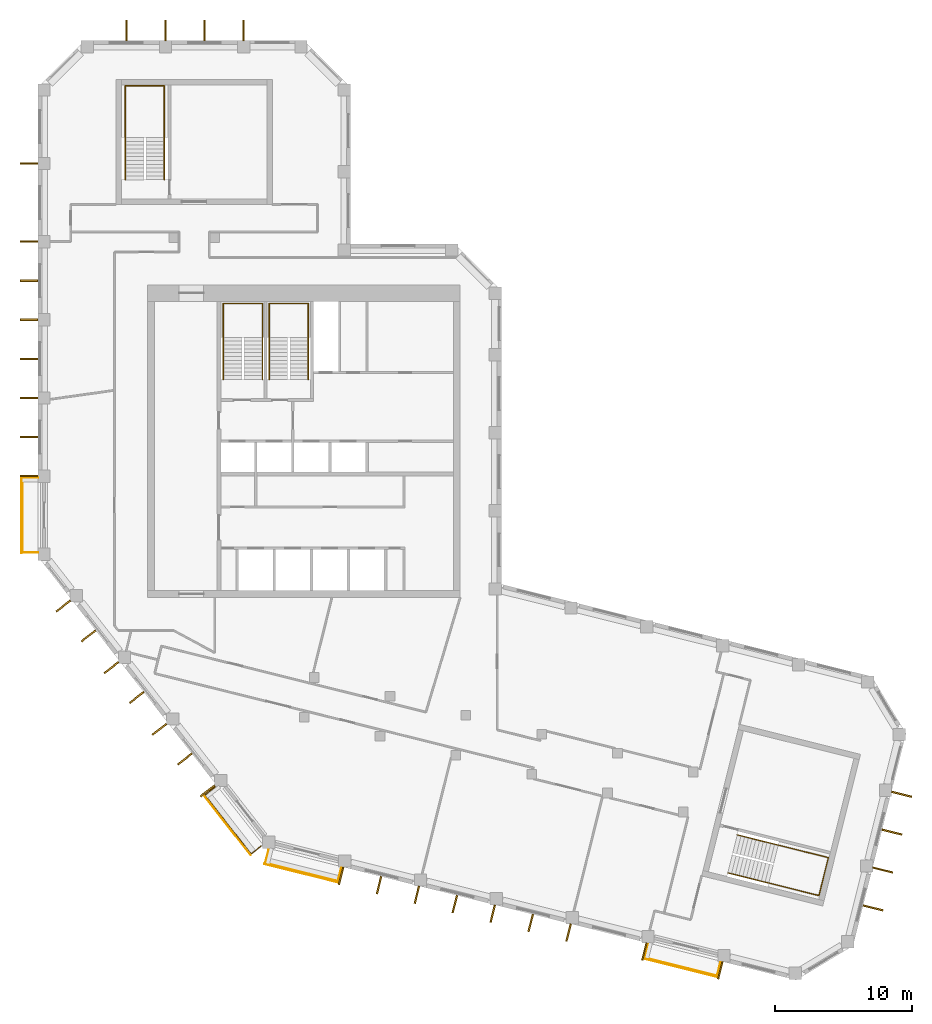
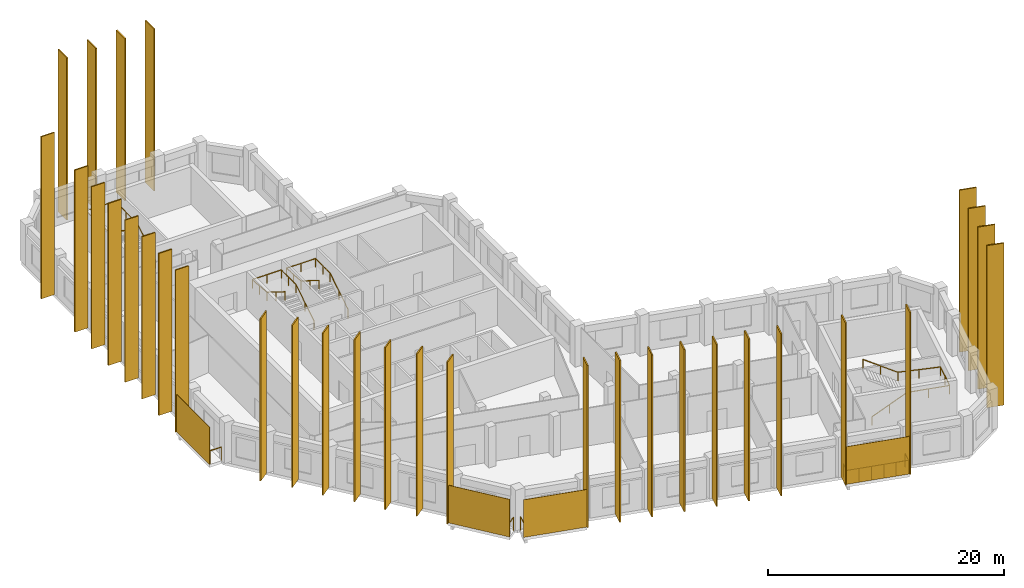
# One storey, part 8 of 8: 36 shading devices, 8 railings.
"""IFC4 building model written with IfcOpenShell, lengths in metres."""

from ifc_helpers import new_model, si_unit, direction, frame, origin, origin_2d, place, context, subcontext, project, spatial, rectangle, circle, extrude, material, layer, layer_set, type_object, element, save


model = new_model("IFC4")

# Units and contexts
model_context = context("Model", 3, precision=1e-05, world=origin(), true_north=direction((0.0, 1.0)))
body_context = subcontext(model_context, "Body", "Model", "MODEL_VIEW")
ifc_project = project(units=[si_unit("LENGTHUNIT", "METRE"), si_unit("AREAUNIT", "SQUARE_METRE"), si_unit("VOLUMEUNIT", "CUBIC_METRE"), si_unit("PLANEANGLEUNIT", "RADIAN"), si_unit("MASSUNIT", "GRAM", prefix="KILO")], contexts=[model_context])

# Site, building, storey
site_placement = place(None, origin())
site = spatial("IfcSite", under=ifc_project, at=site_placement, CompositionType="ELEMENT")
building_placement = place(site_placement, origin())
building = spatial("IfcBuilding", under=site, at=building_placement, Name="Meshkara Civic Tower", CompositionType="ELEMENT")
storey_placement = place(building_placement, frame((0.0, 0.0, 354.0)))
storey = spatial("IfcBuildingStorey", under=building, at=storey_placement, Name="L81", CompositionType="ELEMENT", Elevation=354.0)

# Railings
ifc_material_1 = material(Name="Steel S355", Category="steel")
railing_type_1 = type_object("IfcRailingType", Name="BALUSTRADE GUARD 1400", PredefinedType="BALUSTRADE", material=ifc_material_1)
railing_1_placement = place(storey_placement, frame((0.0, 22.8349609375, 0.0)))
element("IfcRailing", 1, at=railing_1_placement, inside=storey, type_object=railing_type_1, Name="Balcony guard", PredefinedType="BALUSTRADE", context=body_context, shape_type="SweptSolid", body=[
    extrude(circle(Radius=0.02392578125, at=origin_2d()), frame((0.0, 0.0, 1.3759765625), z_axis=(-1.0, 0.0, 0.0), x_axis=(0.0, -1.0, 0.0)), (0.0, 0.0, 1.0), 1.110107421875),
    extrude(circle(Radius=0.02392578125, at=origin_2d()), frame((-1.110107421875, 0.0, 1.3759765625), z_axis=(0.0, -1.0, 0.0), x_axis=(1.0, 0.0, 0.0)), (0.0, 0.0, 1.0), 5.4599609375),
    extrude(circle(Radius=0.02392578125, at=origin_2d()), frame((-1.110107421875, -5.4599609375, 1.3759765625), z_axis=(1.0, 0.0, 0.0), x_axis=(0.0, 1.0, 0.0)), (0.0, 0.0, 1.0), 1.110107421875),
    extrude(circle(Radius=0.02099609375, at=origin_2d()), origin(), (0.0, 0.0, 1.0), 1.351806640625),
    extrude(circle(Radius=0.02099609375, at=origin_2d()), frame((-1.110107421875, 0.0, 0.0)), (0.0, 0.0, 1.0), 1.351806640625),
    extrude(circle(Radius=0.02099609375, at=origin_2d()), frame((-1.110107421875, -1.092041015625, 0.0)), (0.0, 0.0, 1.0), 1.351806640625),
    extrude(circle(Radius=0.02099609375, at=origin_2d()), frame((-1.110107421875, -2.18408203125, 0.0)), (0.0, 0.0, 1.0), 1.351806640625),
    extrude(circle(Radius=0.02099609375, at=origin_2d()), frame((-1.110107421875, -3.27587890625, 0.0)), (0.0, 0.0, 1.0), 1.351806640625),
    extrude(circle(Radius=0.02099609375, at=origin_2d()), frame((-1.110107421875, -4.367919921875, 0.0)), (0.0, 0.0, 1.0), 1.351806640625),
    extrude(circle(Radius=0.02099609375, at=origin_2d()), frame((-1.110107421875, -5.4599609375, 0.0)), (0.0, 0.0, 1.0), 1.351806640625),
    extrude(circle(Radius=0.02099609375, at=origin_2d()), frame((0.0, -5.4599609375, 0.0)), (0.0, 0.0, 1.0), 1.351806640625),
])
railing_2_placement = place(storey_placement, frame((12.91796875, 0.27001953125, 0.0)))
element("IfcRailing", 2, at=railing_2_placement, inside=storey, type_object=railing_type_1, Name="Balcony guard", PredefinedType="BALUSTRADE", context=body_context, shape_type="SweptSolid", body=[
    extrude(circle(Radius=0.02392578125, at=origin_2d()), frame((0.0, 0.0, 1.3759765625), z_axis=(-0.788430880583, -0.615123358801, 0.0), x_axis=(0.615123358801, -0.788430880583, 0.0)), (0.0, 0.0, 1.0), 0.92822265625),
    extrude(circle(Radius=0.02392578125, at=origin_2d()), frame((-0.73193359375, -0.571044921875, 1.3759765625), z_axis=(0.615684818606, -0.787992515281, 0.0), x_axis=(0.787992515281, 0.615684818606, 0.0)), (0.0, 0.0, 1.0), 5.460693359375),
    extrude(circle(Radius=0.02392578125, at=origin_2d()), frame((2.630126953125, -4.8740234375, 1.3759765625), z_axis=(0.787920766417, 0.615776636329, 0.0), x_axis=(-0.615776636329, 0.787920766417, 0.0)), (0.0, 0.0, 1.0), 0.928955078125),
    extrude(circle(Radius=0.02099609375, at=origin_2d()), origin(), (0.0, 0.0, 1.0), 1.351806640625),
    extrude(circle(Radius=0.02099609375, at=origin_2d()), frame((-0.73193359375, -0.571044921875, 0.0)), (0.0, 0.0, 1.0), 1.351806640625),
    extrude(circle(Radius=0.02099609375, at=origin_2d()), frame((-0.0595703125, -1.431640625, 0.0)), (0.0, 0.0, 1.0), 1.351806640625),
    extrude(circle(Radius=0.02099609375, at=origin_2d()), frame((0.61279296875, -2.292236328125, 0.0)), (0.0, 0.0, 1.0), 1.351806640625),
    extrude(circle(Radius=0.02099609375, at=origin_2d()), frame((1.285400390625, -3.15283203125, 0.0)), (0.0, 0.0, 1.0), 1.351806640625),
    extrude(circle(Radius=0.02099609375, at=origin_2d()), frame((1.957763671875, -4.013427734375, 0.0)), (0.0, 0.0, 1.0), 1.351806640625),
    extrude(circle(Radius=0.02099609375, at=origin_2d()), frame((2.630126953125, -4.8740234375, 0.0)), (0.0, 0.0, 1.0), 1.351806640625),
    extrude(circle(Radius=0.02099609375, at=origin_2d()), frame((3.362060546875, -4.302001953125, 0.0)), (0.0, 0.0, 1.0), 1.351806640625),
])
railing_3_placement = place(storey_placement, frame((16.8359375, -4.2958984375, 0.0)))
element("IfcRailing", 3, at=railing_3_placement, inside=storey, type_object=railing_type_1, Name="Balcony guard", PredefinedType="BALUSTRADE", context=body_context, shape_type="SweptSolid", body=[
    extrude(circle(Radius=0.02392578125, at=origin_2d()), frame((0.0, 0.0, 1.3759765625), z_axis=(-0.24213955905, -0.97024143075, 0.0), x_axis=(0.97024143075, -0.24213955905, 0.0)), (0.0, 0.0, 1.0), 1.015380859375),
    extrude(circle(Radius=0.02392578125, at=origin_2d()), frame((-0.245849609375, -0.985107421875, 1.3759765625), z_axis=(0.970289613784, -0.241946410147, 0.0), x_axis=(0.241946410147, 0.970289613784, 0.0)), (0.0, 0.0, 1.0), 5.4599609375),
    extrude(circle(Radius=0.02392578125, at=origin_2d()), frame((5.052001953125, -2.30615234375, 1.3759765625), z_axis=(0.242365897307, 0.970184916303, 0.0), x_axis=(-0.970184916303, 0.242365897307, 0.0)), (0.0, 0.0, 1.0), 1.015380859375),
    extrude(circle(Radius=0.02099609375, at=origin_2d()), origin(), (0.0, 0.0, 1.0), 1.351806640625),
    extrude(circle(Radius=0.02099609375, at=origin_2d()), frame((-0.245849609375, -0.985107421875, 0.0)), (0.0, 0.0, 1.0), 1.351806640625),
    extrude(circle(Radius=0.02099609375, at=origin_2d()), frame((0.813720703125, -1.249267578125, 0.0)), (0.0, 0.0, 1.0), 1.351806640625),
    extrude(circle(Radius=0.02099609375, at=origin_2d()), frame((1.873291015625, -1.513427734375, 0.0)), (0.0, 0.0, 1.0), 1.351806640625),
    extrude(circle(Radius=0.02099609375, at=origin_2d()), frame((2.932861328125, -1.77783203125, 0.0)), (0.0, 0.0, 1.0), 1.351806640625),
    extrude(circle(Radius=0.02099609375, at=origin_2d()), frame((3.992431640625, -2.0419921875, 0.0)), (0.0, 0.0, 1.0), 1.351806640625),
    extrude(circle(Radius=0.02099609375, at=origin_2d()), frame((5.052001953125, -2.30615234375, 0.0)), (0.0, 0.0, 1.0), 1.351806640625),
    extrude(circle(Radius=0.02099609375, at=origin_2d()), frame((5.298095703125, -1.321044921875, 0.0)), (0.0, 0.0, 1.0), 1.351806640625),
])
railing_4_placement = place(storey_placement, frame((44.489013671875, -11.19091796875, 0.0)))
element("IfcRailing", 4, at=railing_4_placement, inside=storey, type_object=railing_type_1, Name="Balcony guard", PredefinedType="BALUSTRADE", context=body_context, shape_type="SweptSolid", body=[
    extrude(circle(Radius=0.02392578125, at=origin_2d()), frame((0.0, 0.0, 1.3759765625), z_axis=(-0.242592252133, -0.970128341615, 0.0), x_axis=(0.970128341615, -0.242592252133, 0.0)), (0.0, 0.0, 1.0), 1.014404296875),
    extrude(circle(Radius=0.02392578125, at=origin_2d()), frame((-0.24609375, -0.984130859375, 1.3759765625), z_axis=(0.970292231073, -0.24193591366, 0.0), x_axis=(0.24193591366, 0.970292231073, 0.0)), (0.0, 0.0, 1.0), 5.460205078125),
    extrude(circle(Radius=0.02392578125, at=origin_2d()), frame((5.052001953125, -2.30517578125, 1.3759765625), z_axis=(0.242592252133, 0.970128341615, 0.0), x_axis=(-0.970128341615, 0.242592252133, 0.0)), (0.0, 0.0, 1.0), 1.014404296875),
    extrude(circle(Radius=0.02099609375, at=origin_2d()), origin(), (0.0, 0.0, 1.0), 1.351806640625),
    extrude(circle(Radius=0.02099609375, at=origin_2d()), frame((-0.24609375, -0.984130859375, 0.0)), (0.0, 0.0, 1.0), 1.351806640625),
    extrude(circle(Radius=0.02099609375, at=origin_2d()), frame((0.8134765625, -1.248291015625, 0.0)), (0.0, 0.0, 1.0), 1.351806640625),
    extrude(circle(Radius=0.02099609375, at=origin_2d()), frame((1.873046875, -1.512451171875, 0.0)), (0.0, 0.0, 1.0), 1.351806640625),
    extrude(circle(Radius=0.02099609375, at=origin_2d()), frame((2.932861328125, -1.77685546875, 0.0)), (0.0, 0.0, 1.0), 1.351806640625),
    extrude(circle(Radius=0.02099609375, at=origin_2d()), frame((3.992431640625, -2.041015625, 0.0)), (0.0, 0.0, 1.0), 1.351806640625),
    extrude(circle(Radius=0.02099609375, at=origin_2d()), frame((5.052001953125, -2.30517578125, 0.0)), (0.0, 0.0, 1.0), 1.351806640625),
    extrude(circle(Radius=0.02099609375, at=origin_2d()), frame((5.298095703125, -1.321044921875, 0.0)), (0.0, 0.0, 1.0), 1.351806640625),
])

# Shading devices
ifc_material_2 = material(Name="Bronze anodised aluminium", Category="aluminium")
ifc_layer_1 = layer(ifc_material_2, 0.1201171875)
ifc_layer_set_1 = layer_set([ifc_layer_1], Name="BRONZE FIN 1300")
shading_device_type_1 = type_object("IfcShadingDeviceType", Name="BRONZE FIN 1300", PredefinedType="USERDEFINED", material=ifc_layer_set_1)
for number, where, z_axis, x_axis, name in (
    (5, (-0.64990234375, 45.7548828125, 0.0), (0.0, 0.0, 1.0), (0.0, -1.0, 0.0), "Fin"),
    (6, (-0.64990234375, 40.054931640625, 0.0), (0.0, 0.0, 1.0), (0.0, -1.0, 0.0), "Fin"),
    (7, (-0.64990234375, 37.205078125, 0.0), (0.0, 0.0, 1.0), (0.0, -1.0, 0.0), "Fin"),
    (8, (-0.64990234375, 34.35498046875, 0.0), (0.0, 0.0, 1.0), (0.0, -1.0, 0.0), "Fin"),
    (9, (-0.64990234375, 31.5048828125, 0.0), (0.0, 0.0, 1.0), (0.0, -1.0, 0.0), "Fin"),
    (10, (-0.64990234375, 28.655029296875, 0.0), (0.0, 0.0, 1.0), (0.0, -1.0, 0.0), "Fin"),
    (11, (-0.64990234375, 25.804931640625, 0.0), (0.0, 0.0, 1.0), (0.0, -1.0, 0.0), "Fin"),
    (12, (-0.64990234375, 22.955078125, 0.0), (0.0, 0.0, 1.0), (0.0, -1.0, 0.0), "Fin"),
    (13, (1.85205078125, 13.47705078125, 0.0), (0.0, 0.0, 1.0), (0.615661475326, -0.788010753607, 0.0), "Fin"),
    (14, (3.701904296875, 11.305908203125, 0.0), (0.0, 0.0, 1.0), (0.615661475326, -0.788010753607, 0.0), "Fin"),
    (15, (5.361083984375, 8.985107421875, 0.0), (0.0, 0.0, 1.0), (0.615661475326, -0.788010753607, 0.0), "Fin"),
    (16, (7.2109375, 6.81396484375, 0.0), (0.0, 0.0, 1.0), (0.615661475326, -0.788010753607, 0.0), "Fin"),
    (17, (8.87109375, 4.492919921875, 0.0), (0.0, 0.0, 1.0), (0.615661475326, -0.788010753607, 0.0), "Fin"),
    (18, (10.720947265625, 2.322021484375, 0.0), (0.0, 0.0, 1.0), (0.615661475326, -0.788010753607, 0.0), "Fin"),
    (19, (12.3798828125, 0.001953125, 0.0), (0.0, 0.0, 1.0), (0.615661475326, -0.788010753607, 0.0), "Fin"),
    (20, (22.113037109375, -6.197998046875, 0.0), (0.0, 0.0, 1.0), (0.970295726276, -0.2419218956, 0.0), "Fin"),
    (21, (24.881103515625, -6.8740234375, 0.0), (0.0, 0.0, 1.0), (0.970295726276, -0.2419218956, 0.0), "Fin"),
    (22, (27.64306640625, -7.576904296875, 0.0), (0.0, 0.0, 1.0), (0.970295726276, -0.2419218956, 0.0), "Fin"),
    (23, (30.410888671875, -8.2529296875, 0.0), (0.0, 0.0, 1.0), (0.970295726276, -0.2419218956, 0.0), "Fin"),
    (24, (33.174072265625, -8.9560546875, 0.0), (0.0, 0.0, 1.0), (0.970295726276, -0.2419218956, 0.0), "Fin"),
    (25, (35.94189453125, -9.632080078125, 0.0), (0.0, 0.0, 1.0), (0.970295726276, -0.2419218956, 0.0), "Fin"),
    (26, (38.705078125, -10.3349609375, 0.0), (0.0, 0.0, 1.0), (0.970295726276, -0.2419218956, 0.0), "Fin"),
    (27, (44.235107421875, -11.714111328125, 0.0), (0.0, 0.0, 1.0), (0.970295726276, -0.2419218956, 0.0), "Fin"),
    (28, (49.76611328125, -13.093017578125, 0.0), (0.0, 0.0, 1.0), (0.970295726276, -0.2419218956, 0.0), "Fin"),
):
    element("IfcShadingDevice", number, at=place(storey_placement, frame(where, z_axis=z_axis, x_axis=x_axis)), inside=storey, type_object=shading_device_type_1, Name=name, ObjectType="FIN", PredefinedType="USERDEFINED", context=body_context, shape_type="SweptSolid", body=[
        extrude(rectangle(XDim=0.1201171875, YDim=1.300048828125, at=origin_2d()), origin(), (0.0, 0.0, 1.0), 16.800048828125),
    ])
ifc_material_3 = material(Name="Bronze anodised aluminium", Category="aluminium")
ifc_layer_2 = layer(ifc_material_3, 0.1201171875)
ifc_layer_set_2 = layer_set([ifc_layer_2], Name="BRONZE FIN 1500")
shading_device_type_2 = type_object("IfcShadingDeviceType", Name="BRONZE FIN 1500", PredefinedType="USERDEFINED", material=ifc_layer_set_2)
for number, where, z_axis, x_axis, name in (
    (29, (15.006103515625, 55.469970703125, 0.0), (0.0, 0.0, 1.0), (-1.0, 0.0, 0.0), "Fin"),
    (30, (12.156005859375, 55.469970703125, 0.0), (0.0, 0.0, 1.0), (-1.0, 0.0, 0.0), "Fin"),
    (31, (9.305908203125, 55.469970703125, 0.0), (0.0, 0.0, 1.0), (-1.0, 0.0, 0.0), "Fin"),
    (32, (6.4560546875, 55.469970703125, 0.0), (0.0, 0.0, 1.0), (-1.0, 0.0, 0.0), "Fin"),
    (33, (60.9150390625, -8.533935546875, 0.0), (0.0, 0.0, 1.0), (0.2419218956, 0.970295726276, 0.0), "Fin"),
    (34, (61.617919921875, -5.77197265625, 0.0), (0.0, 0.0, 1.0), (0.2419218956, 0.970295726276, 0.0), "Fin"),
    (35, (62.2939453125, -3.0029296875, 0.0), (0.0, 0.0, 1.0), (0.2419218956, 0.970295726276, 0.0), "Fin"),
    (36, (62.9970703125, -0.241943359375, 0.0), (0.0, 0.0, 1.0), (0.2419218956, 0.970295726276, 0.0), "Fin"),
):
    element("IfcShadingDevice", number, at=place(storey_placement, frame(where, z_axis=z_axis, x_axis=x_axis)), inside=storey, type_object=shading_device_type_2, Name=name, ObjectType="FIN", PredefinedType="USERDEFINED", context=body_context, shape_type="SweptSolid", body=[
        extrude(rectangle(XDim=0.1201171875, YDim=1.5, at=origin_2d()), origin(), (0.0, 0.0, 1.0), 16.800048828125),
    ])
ifc_material_4 = material(Name="Perforated bronze anodised aluminium sheet", Category="aluminium")
ifc_layer_3 = layer(ifc_material_4, 0.0400390625)
ifc_layer_set_3 = layer_set([ifc_layer_3], Name="PERFORATED BRONZE SCREEN")
shading_device_type_3 = type_object("IfcShadingDeviceType", Name="PERFORATED BRONZE SCREEN", PredefinedType="USERDEFINED", material=ifc_layer_set_3)
for number, where, z_axis, x_axis, name in (
    (37, (-1.179931640625, 20.10498046875, 0.0), (0.0, 0.0, 1.0), (0.0, -1.0, 0.0), "Balcony screen"),
    (38, (13.81201171875, -2.4951171875, 0.0), (0.0, 0.0, 1.0), (0.615661475326, -0.788010753607, 0.0), "Balcony screen"),
    (39, (19.221923828125, -6.009033203125, 0.0), (0.0, 0.0, 1.0), (0.970295726276, -0.2419218956, 0.0), "Balcony screen"),
    (40, (46.875, -12.904052734375, 0.0), (0.0, 0.0, 1.0), (0.970295726276, -0.2419218956, 0.0), "Balcony screen"),
):
    element("IfcShadingDevice", number, at=place(storey_placement, frame(where, z_axis=z_axis, x_axis=x_axis)), inside=storey, type_object=shading_device_type_3, Name=name, ObjectType="SCREEN", PredefinedType="USERDEFINED", context=body_context, shape_type="SweptSolid", body=[
        extrude(rectangle(XDim=5.580078125, YDim=0.0400390625, at=origin_2d()), origin(), (0.0, 0.0, 1.0), 3.89990234375),
    ])

# Railings
ifc_material_5 = material(Name="Steel handrail", Category="steel")
railing_type_2 = type_object("IfcRailingType", Name="Stair handrail 900", PredefinedType="HANDRAIL", material=ifc_material_5)
railing_5_placement = place(storey_placement, frame((16.375, 30.0, 0.175048828125)))
element("IfcRailing", 41, at=railing_5_placement, inside=storey, type_object=railing_type_2, Name="L81 ST1 stair handrail 1", PredefinedType="HANDRAIL", context=body_context, shape_type="SweptSolid", body=[
    extrude(circle(Radius=0.02392578125, at=origin_2d()), frame((0.0, 0.0, 0.8759765625), z_axis=(0.0, 0.847998304005, 0.529998940003), x_axis=(-1.0, 0.0, 0.0)), (0.0, 0.0, 1.0), 3.632080078125),
    extrude(circle(Radius=0.02392578125, at=origin_2d()), frame((0.0, 3.080078125, 2.80078125), z_axis=(0.0, 1.0, 0.0), x_axis=(-1.0, 0.0, 0.0)), (0.0, 0.0, 1.0), 2.469970703125),
    extrude(circle(Radius=0.02392578125, at=origin_2d()), frame((0.0, 5.550048828125, 2.80078125), z_axis=(-1.0, 0.0, 0.0), x_axis=(0.0, -1.0, 0.0)), (0.0, 0.0, 1.0), 2.85009765625),
    extrude(circle(Radius=0.02392578125, at=origin_2d()), frame((-2.85009765625, 5.550048828125, 2.80078125), z_axis=(0.0, -0.997505032726, 0.070595394231), x_axis=(1.0, 0.0, 0.0)), (0.0, 0.0, 1.0), 2.47607421875),
    extrude(circle(Radius=0.02392578125, at=origin_2d()), frame((-2.85009765625, 3.080078125, 2.9755859375), z_axis=(0.0, -0.847998304005, 0.529998940003), x_axis=(1.0, 0.0, 0.0)), (0.0, 0.0, 1.0), 3.632080078125),
    extrude(circle(Radius=0.02099609375, at=origin_2d()), origin(), (0.0, 0.0, 1.0), 0.851806640625),
    extrude(circle(Radius=0.02099609375, at=origin_2d()), frame((0.0, 1.5400390625, 0.96240234375)), (0.0, 0.0, 1.0), 0.851806640625),
    extrude(circle(Radius=0.02099609375, at=origin_2d()), frame((0.0, 3.080078125, 1.925048828125)), (0.0, 0.0, 1.0), 0.851806640625),
    extrude(circle(Radius=0.02099609375, at=origin_2d()), frame((0.0, 4.31494140625, 1.925048828125)), (0.0, 0.0, 1.0), 0.851806640625),
    extrude(circle(Radius=0.02099609375, at=origin_2d()), frame((0.0, 5.550048828125, 1.925048828125)), (0.0, 0.0, 1.0), 0.851806640625),
    extrude(circle(Radius=0.02099609375, at=origin_2d()), frame((-1.425048828125, 5.550048828125, 1.925048828125)), (0.0, 0.0, 1.0), 0.851806640625),
    extrude(circle(Radius=0.02099609375, at=origin_2d()), frame((-2.85009765625, 5.550048828125, 1.925048828125)), (0.0, 0.0, 1.0), 0.851806640625),
    extrude(circle(Radius=0.02099609375, at=origin_2d()), frame((-2.85009765625, 4.31494140625, 2.012451171875)), (0.0, 0.0, 1.0), 0.851806640625),
    extrude(circle(Radius=0.02099609375, at=origin_2d()), frame((-2.85009765625, 3.080078125, 2.099853515625)), (0.0, 0.0, 1.0), 0.851806640625),
    extrude(circle(Radius=0.02099609375, at=origin_2d()), frame((-2.85009765625, 1.5400390625, 3.0625)), (0.0, 0.0, 1.0), 0.851806640625),
    extrude(circle(Radius=0.02099609375, at=origin_2d()), frame((-2.85009765625, 0.0, 4.02490234375)), (0.0, 0.0, 1.0), 0.851806640625),
])
railing_6_placement = place(storey_placement, frame((19.72509765625, 30.0, 0.175048828125)))
element("IfcRailing", 42, at=railing_6_placement, inside=storey, type_object=railing_type_2, Name="L81 ST2 stair handrail 1", PredefinedType="HANDRAIL", context=body_context, shape_type="SweptSolid", body=[
    extrude(circle(Radius=0.02392578125, at=origin_2d()), frame((0.0, 0.0, 0.8759765625), z_axis=(0.0, 0.847998304005, 0.529998940003), x_axis=(-1.0, 0.0, 0.0)), (0.0, 0.0, 1.0), 3.632080078125),
    extrude(circle(Radius=0.02392578125, at=origin_2d()), frame((0.0, 3.080078125, 2.80078125), z_axis=(0.0, 1.0, 0.0), x_axis=(-1.0, 0.0, 0.0)), (0.0, 0.0, 1.0), 2.469970703125),
    extrude(circle(Radius=0.02392578125, at=origin_2d()), frame((0.0, 5.550048828125, 2.80078125), z_axis=(-1.0, 0.0, 0.0), x_axis=(0.0, -1.0, 0.0)), (0.0, 0.0, 1.0), 2.85009765625),
    extrude(circle(Radius=0.02392578125, at=origin_2d()), frame((-2.85009765625, 5.550048828125, 2.80078125), z_axis=(0.0, -0.997505032726, 0.070595394231), x_axis=(1.0, 0.0, 0.0)), (0.0, 0.0, 1.0), 2.47607421875),
    extrude(circle(Radius=0.02392578125, at=origin_2d()), frame((-2.85009765625, 3.080078125, 2.9755859375), z_axis=(0.0, -0.847998304005, 0.529998940003), x_axis=(1.0, 0.0, 0.0)), (0.0, 0.0, 1.0), 3.632080078125),
    extrude(circle(Radius=0.02099609375, at=origin_2d()), origin(), (0.0, 0.0, 1.0), 0.851806640625),
    extrude(circle(Radius=0.02099609375, at=origin_2d()), frame((0.0, 1.5400390625, 0.96240234375)), (0.0, 0.0, 1.0), 0.851806640625),
    extrude(circle(Radius=0.02099609375, at=origin_2d()), frame((0.0, 3.080078125, 1.925048828125)), (0.0, 0.0, 1.0), 0.851806640625),
    extrude(circle(Radius=0.02099609375, at=origin_2d()), frame((0.0, 4.31494140625, 1.925048828125)), (0.0, 0.0, 1.0), 0.851806640625),
    extrude(circle(Radius=0.02099609375, at=origin_2d()), frame((0.0, 5.550048828125, 1.925048828125)), (0.0, 0.0, 1.0), 0.851806640625),
    extrude(circle(Radius=0.02099609375, at=origin_2d()), frame((-1.425048828125, 5.550048828125, 1.925048828125)), (0.0, 0.0, 1.0), 0.851806640625),
    extrude(circle(Radius=0.02099609375, at=origin_2d()), frame((-2.85009765625, 5.550048828125, 1.925048828125)), (0.0, 0.0, 1.0), 0.851806640625),
    extrude(circle(Radius=0.02099609375, at=origin_2d()), frame((-2.85009765625, 4.31494140625, 2.012451171875)), (0.0, 0.0, 1.0), 0.851806640625),
    extrude(circle(Radius=0.02099609375, at=origin_2d()), frame((-2.85009765625, 3.080078125, 2.099853515625)), (0.0, 0.0, 1.0), 0.851806640625),
    extrude(circle(Radius=0.02099609375, at=origin_2d()), frame((-2.85009765625, 1.5400390625, 3.0625)), (0.0, 0.0, 1.0), 0.851806640625),
    extrude(circle(Radius=0.02099609375, at=origin_2d()), frame((-2.85009765625, 0.0, 4.02490234375)), (0.0, 0.0, 1.0), 0.851806640625),
])
railing_7_placement = place(storey_placement, frame((9.22509765625, 44.570068359375, 0.175048828125)))
element("IfcRailing", 43, at=railing_7_placement, inside=storey, type_object=railing_type_2, Name="L81 ESA6 stair handrail 1", PredefinedType="HANDRAIL", context=body_context, shape_type="SweptSolid", body=[
    extrude(circle(Radius=0.02392578125, at=origin_2d()), frame((0.0, 0.0, 0.8759765625), z_axis=(0.0, 0.847979421464, 0.530029150871), x_axis=(-1.0, 0.0, 0.0)), (0.0, 0.0, 1.0), 3.632080078125),
    extrude(circle(Radius=0.02392578125, at=origin_2d()), frame((0.0, 3.079833984375, 2.80078125), z_axis=(0.0, 1.0, 0.0), x_axis=(-1.0, 0.0, 0.0)), (0.0, 0.0, 1.0), 3.77001953125),
    extrude(circle(Radius=0.02392578125, at=origin_2d()), frame((0.0, 6.849853515625, 2.80078125), z_axis=(-1.0, 0.0, 0.0), x_axis=(0.0, -1.0, 0.0)), (0.0, 0.0, 1.0), 2.85009765625),
    extrude(circle(Radius=0.02392578125, at=origin_2d()), frame((-2.85009765625, 6.849853515625, 2.80078125), z_axis=(0.0, -0.998926778478, 0.046317288783), x_axis=(1.0, 0.0, 0.0)), (0.0, 0.0, 1.0), 3.774169921875),
    extrude(circle(Radius=0.02392578125, at=origin_2d()), frame((-2.85009765625, 3.079833984375, 2.9755859375), z_axis=(0.0, -0.847979421464, 0.530029150871), x_axis=(1.0, 0.0, 0.0)), (0.0, 0.0, 1.0), 3.632080078125),
    extrude(circle(Radius=0.02099609375, at=origin_2d()), origin(), (0.0, 0.0, 1.0), 0.851806640625),
    extrude(circle(Radius=0.02099609375, at=origin_2d()), frame((0.0, 1.5400390625, 0.96240234375)), (0.0, 0.0, 1.0), 0.851806640625),
    extrude(circle(Radius=0.02099609375, at=origin_2d()), frame((0.0, 3.079833984375, 1.925048828125)), (0.0, 0.0, 1.0), 0.851806640625),
    extrude(circle(Radius=0.02099609375, at=origin_2d()), frame((0.0, 4.96484375, 1.925048828125)), (0.0, 0.0, 1.0), 0.851806640625),
    extrude(circle(Radius=0.02099609375, at=origin_2d()), frame((0.0, 6.849853515625, 1.925048828125)), (0.0, 0.0, 1.0), 0.851806640625),
    extrude(circle(Radius=0.02099609375, at=origin_2d()), frame((-1.425048828125, 6.849853515625, 1.925048828125)), (0.0, 0.0, 1.0), 0.851806640625),
    extrude(circle(Radius=0.02099609375, at=origin_2d()), frame((-2.85009765625, 6.849853515625, 1.925048828125)), (0.0, 0.0, 1.0), 0.851806640625),
    extrude(circle(Radius=0.02099609375, at=origin_2d()), frame((-2.85009765625, 4.96484375, 2.012451171875)), (0.0, 0.0, 1.0), 0.851806640625),
    extrude(circle(Radius=0.02099609375, at=origin_2d()), frame((-2.85009765625, 3.079833984375, 2.099853515625)), (0.0, 0.0, 1.0), 0.851806640625),
    extrude(circle(Radius=0.02099609375, at=origin_2d()), frame((-2.85009765625, 1.5400390625, 3.0625)), (0.0, 0.0, 1.0), 0.851806640625),
    extrude(circle(Radius=0.02099609375, at=origin_2d()), frame((-2.85009765625, 0.0, 4.02490234375)), (0.0, 0.0, 1.0), 0.851806640625),
])
railing_8_placement = place(storey_placement, frame((50.31884765625, -5.975341796875, 0.175048828125)))
element("IfcRailing", 44, at=railing_8_placement, inside=storey, type_object=railing_type_2, Name="L81 ESB6 stair handrail 1", PredefinedType="HANDRAIL", context=body_context, shape_type="SweptSolid", body=[
    extrude(circle(Radius=0.02392578125, at=origin_2d()), frame((0.0, 0.0, 0.8759765625), z_axis=(0.822816010835, -0.205082235851, 0.530014234575), x_axis=(0.241845469214, 0.970314778317, 0.0)), (0.0, 0.0, 1.0), 3.632080078125),
    extrude(circle(Radius=0.02392578125, at=origin_2d()), frame((2.988525390625, -0.744873046875, 2.80078125), z_axis=(0.970325068916, -0.241804178279, 0.0), x_axis=(0.241804178279, 0.970325068916, 0.0)), (0.0, 0.0, 1.0), 3.77001953125),
    extrude(circle(Radius=0.02392578125, at=origin_2d()), frame((6.646728515625, -1.656494140625, 2.80078125), z_axis=(0.24183009087, 0.970318611153, 0.0), x_axis=(-0.970318611153, 0.24183009087, 0.0)), (0.0, 0.0, 1.0), 2.849853515625),
    extrude(circle(Radius=0.02392578125, at=origin_2d()), frame((7.3359375, 1.10888671875, 2.80078125), z_axis=(-0.969268581761, 0.241605589487, 0.046315823848), x_axis=(-0.241865147941, -0.970309873294, 0.0)), (0.0, 0.0, 1.0), 3.774169921875),
    extrude(circle(Radius=0.02392578125, at=origin_2d()), frame((3.677734375, 2.020751953125, 2.9755859375), z_axis=(-0.822827351915, 0.205017843586, 0.530021539894), x_axis=(-0.241770835762, -0.970333377234, 0.0)), (0.0, 0.0, 1.0), 3.632080078125),
    extrude(circle(Radius=0.02099609375, at=origin_2d()), origin(), (0.0, 0.0, 1.0), 0.851806640625),
    extrude(circle(Radius=0.02099609375, at=origin_2d()), frame((1.494140625, -0.37255859375, 0.96240234375)), (0.0, 0.0, 1.0), 0.851806640625),
    extrude(circle(Radius=0.02099609375, at=origin_2d()), frame((2.988525390625, -0.744873046875, 1.925048828125)), (0.0, 0.0, 1.0), 0.851806640625),
    extrude(circle(Radius=0.02099609375, at=origin_2d()), frame((4.817626953125, -1.20068359375, 1.925048828125)), (0.0, 0.0, 1.0), 0.851806640625),
    extrude(circle(Radius=0.02099609375, at=origin_2d()), frame((6.646728515625, -1.656494140625, 1.925048828125)), (0.0, 0.0, 1.0), 0.851806640625),
    extrude(circle(Radius=0.02099609375, at=origin_2d()), frame((6.9912109375, -0.27392578125, 1.925048828125)), (0.0, 0.0, 1.0), 0.851806640625),
    extrude(circle(Radius=0.02099609375, at=origin_2d()), frame((7.3359375, 1.10888671875, 1.925048828125)), (0.0, 0.0, 1.0), 0.851806640625),
    extrude(circle(Radius=0.02099609375, at=origin_2d()), frame((5.5068359375, 1.56494140625, 2.012451171875)), (0.0, 0.0, 1.0), 0.851806640625),
    extrude(circle(Radius=0.02099609375, at=origin_2d()), frame((3.677734375, 2.020751953125, 2.099853515625)), (0.0, 0.0, 1.0), 0.851806640625),
    extrude(circle(Radius=0.02099609375, at=origin_2d()), frame((2.18359375, 2.39306640625, 3.0625)), (0.0, 0.0, 1.0), 0.851806640625),
    extrude(circle(Radius=0.02099609375, at=origin_2d()), frame((0.689208984375, 2.765380859375, 4.02490234375)), (0.0, 0.0, 1.0), 0.851806640625),
])

save(model, "model.ifc")
